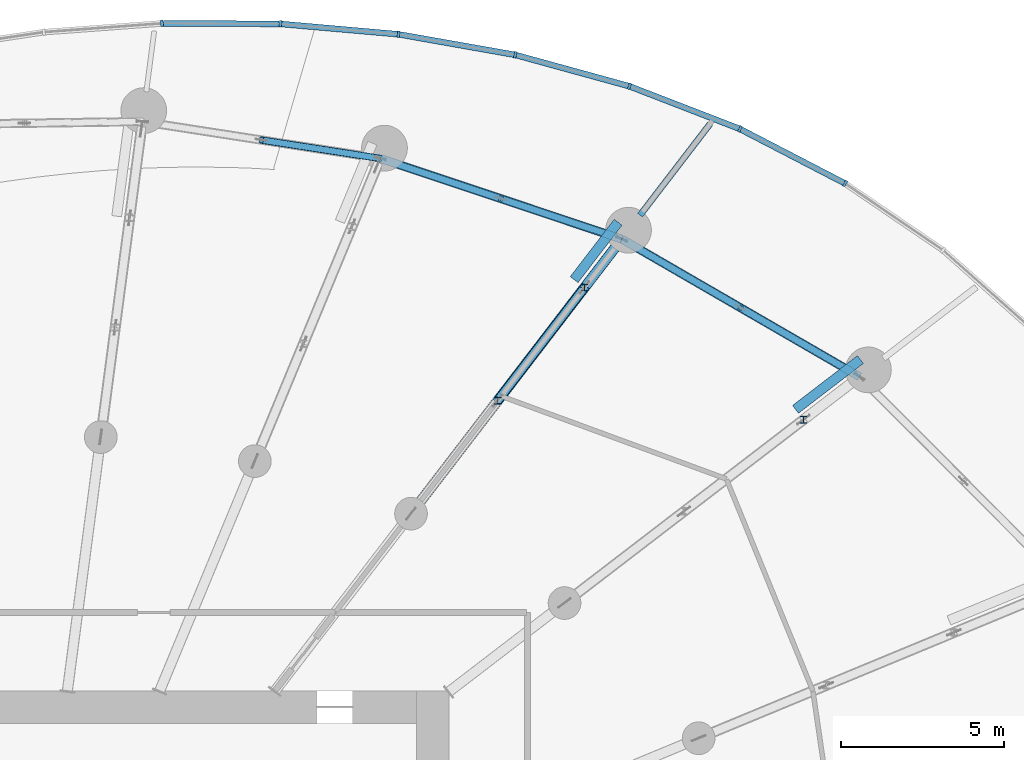
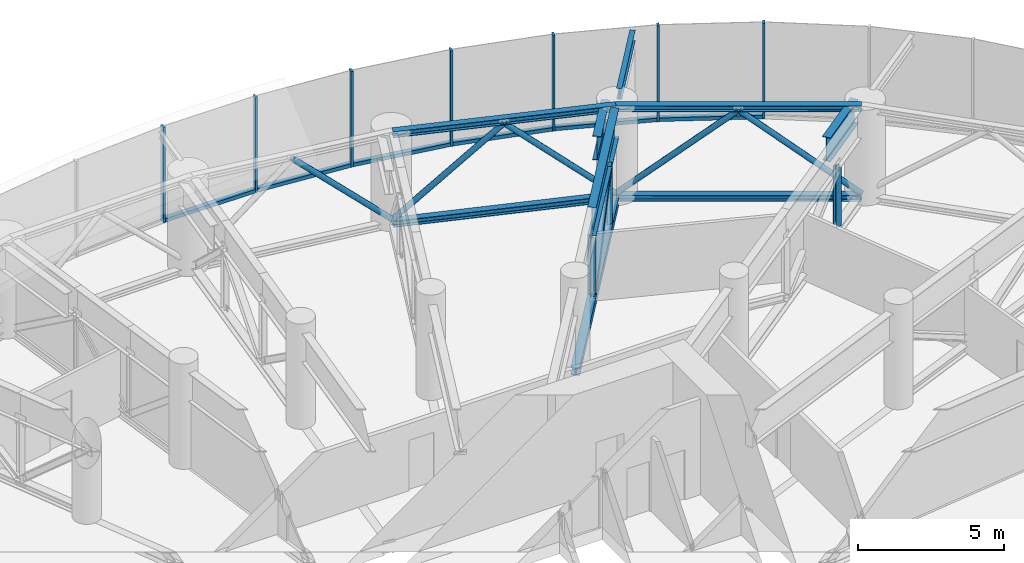
# One storey, part 15 of 42: 27 members, 4 beams, 2 elements without a shape of their own.
"""IFC4 building model written with IfcOpenShell, lengths in metres."""

import ifcopenshell
import ifcopenshell.guid

model = None  # the IFC model being written
_history = None  # IfcOwnerHistory: only IFC2X3 demands one
_inside = {}  # id of a spatial element -> (the spatial element, [elements in it])
_under = {}  # id of a project, library or spatial element -> (it, [spatial elements below it])
_declared = {}  # id of a project -> (the project, [libraries it declares])
_typed = {}  # id of a type object -> (the type object, [elements of that type])
_made_of = {}  # id of a material, layer set ... -> (it, [elements and type objects made of it])


def new_model(schema):
    """Start an empty IFC model of exactly this schema.

    Asked for "IFC4X3", IfcOpenShell would pick the latest addendum, in which some entities
    have other attributes; the version numbers below select the first issue.
    IFC2X3 requires an IfcOwnerHistory on every rooted entity: one is made here for all.
    """
    global model, _history
    if schema == "IFC4X3":
        model = ifcopenshell.file(schema_version=(4, 3, 0, 0))
    else:
        model = ifcopenshell.file(schema=schema)
    _inside.clear()
    _under.clear()
    _declared.clear()
    _typed.clear()
    _made_of.clear()
    _history = None
    if model.schema == "IFC2X3":
        org = make("IfcOrganization", Name="unknown")
        user = make(
            "IfcPersonAndOrganization",
            ThePerson=make("IfcPerson", FamilyName="unknown"),
            TheOrganization=org,
        )
        app = make(
            "IfcApplication",
            ApplicationDeveloper=org,
            Version="unknown",
            ApplicationFullName="unknown",
            ApplicationIdentifier="unknown",
        )
        _history = make(
            "IfcOwnerHistory",
            OwningUser=user,
            OwningApplication=app,
            ChangeAction="ADDED",
            CreationDate=0,
        )
    return model


def make(cls, **values):
    """One entity of the class cls with the attributes given. An attribute that is None is left unset."""
    return model.create_entity(
        cls, **{name: value for name, value in values.items() if value is not None}
    )


def rooted(cls, **values):
    """An entity with a GlobalId (a new one), such as an element, a storey or a relation."""
    return make(cls, GlobalId=ifcopenshell.guid.new(), OwnerHistory=_history, **values)


def si_unit(unit_type, name, prefix=None):
    """IfcSIUnit, for example si_unit("LENGTHUNIT", "METRE", prefix="MILLI")."""
    return make("IfcSIUnit", UnitType=unit_type, Prefix=prefix, Name=name)


def assignment(units):
    """IfcUnitAssignment: the units of a project."""
    return None if units is None else make("IfcUnitAssignment", Units=units)


def point(xyz):
    """IfcCartesianPoint."""
    return None if xyz is None else make("IfcCartesianPoint", Coordinates=xyz)


def direction(xyz):
    """IfcDirection."""
    return None if xyz is None else make("IfcDirection", DirectionRatios=xyz)


def frame(location, z_axis=None, x_axis=None):
    """IfcAxis2Placement3D, a coordinate frame: its origin and axes. An axis left out is left unset."""
    return make(
        "IfcAxis2Placement3D",
        Location=point(location),
        Axis=direction(z_axis),
        RefDirection=direction(x_axis),
    )


def frame_2d(location, x_axis=None):
    """IfcAxis2Placement2D, a coordinate frame in the plane: its origin and x axis."""
    return make(
        "IfcAxis2Placement2D", Location=point(location), RefDirection=direction(x_axis)
    )


def origin():
    """The frame at (0, 0, 0) with its axes left unset."""
    return frame((0.0, 0.0, 0.0))


def origin_2d():
    """The frame at (0, 0) in the plane with its x axis left unset."""
    return frame_2d((0.0, 0.0))


def place(relative_to, where):
    """IfcLocalPlacement: puts the frame where relative to a parent placement (None: the world)."""
    return make(
        "IfcLocalPlacement", PlacementRelTo=relative_to, RelativePlacement=where
    )


def context(
    kind, dimensions, precision=None, world=None, true_north=None, identifier=None
):
    """IfcGeometricRepresentationContext, for example the 3D "Model" context."""
    return make(
        "IfcGeometricRepresentationContext",
        ContextIdentifier=identifier,
        ContextType=kind,
        CoordinateSpaceDimension=dimensions,
        Precision=precision,
        WorldCoordinateSystem=world,
        TrueNorth=true_north,
    )


def subcontext(parent, identifier, kind, view, scale=None):
    """IfcGeometricRepresentationSubContext, for example "Body" below "Model"."""
    return make(
        "IfcGeometricRepresentationSubContext",
        ContextIdentifier=identifier,
        ContextType=kind,
        ParentContext=parent,
        TargetScale=scale,
        TargetView=view,
    )


def project(units=None, contexts=None):
    """IfcProject with its units and contexts."""
    return rooted(
        "IfcProject",
        Name="project",
        RepresentationContexts=contexts,
        UnitsInContext=assignment(units),
    )


def spatial(cls, under=None, at=None, **own):
    """A site, building, storey or space (cls), placed at a placement, below another one or the project."""
    s = rooted(cls, ObjectPlacement=at, **own)
    if under is not None:
        _under.setdefault(under.id(), (under, []))[1].append(s)
    return s


def profile(cls, at=None, kind="AREA", **sizes):
    """A parametric profile (cls). Its sizes go by their IFC names, for example OverallWidth=200.0."""
    return make(cls, ProfileType=kind, Position=at, **sizes)


def rectangle(**sizes):
    """IfcRectangleProfileDef."""
    return profile("IfcRectangleProfileDef", **sizes)


def hollow_circle(**sizes):
    """IfcCircleHollowProfileDef."""
    return profile("IfcCircleHollowProfileDef", **sizes)


def i_section(**sizes):
    """IfcIShapeProfileDef."""
    return profile("IfcIShapeProfileDef", **sizes)


def extrude(swept, where, along, depth):
    """IfcExtrudedAreaSolid: the profile swept, set in the frame where, extruded along a direction by depth."""
    return make(
        "IfcExtrudedAreaSolid",
        SweptArea=swept,
        Position=where,
        ExtrudedDirection=direction(along),
        Depth=depth,
    )


def shape(context_of_items, identifier, shape_type, items):
    """IfcShapeRepresentation: the items that make up one representation, for example the "Body"."""
    return make(
        "IfcShapeRepresentation",
        ContextOfItems=context_of_items,
        RepresentationIdentifier=identifier,
        RepresentationType=shape_type,
        Items=items,
    )


def source(mapping_origin, context_of_items, identifier, shape_type, items):
    """IfcRepresentationMap: a shape defined once, which mapped items show again and again."""
    return make(
        "IfcRepresentationMap",
        MappingOrigin=mapping_origin,
        MappedRepresentation=shape(context_of_items, identifier, shape_type, items),
    )


def transform(
    local_origin,
    x_axis=None,
    y_axis=None,
    z_axis=None,
    scale=None,
    scale2=None,
    scale3=None,
    uniform=True,
):
    """IfcCartesianTransformationOperator3D, or its non-uniform kind. x_axis, y_axis, z_axis: its Axis1, 2, 3."""
    if uniform:
        return make(
            "IfcCartesianTransformationOperator3D",
            Axis1=direction(x_axis),
            Axis2=direction(y_axis),
            LocalOrigin=point(local_origin),
            Scale=scale,
            Axis3=direction(z_axis),
        )
    return make(
        "IfcCartesianTransformationOperator3DnonUniform",
        Axis1=direction(x_axis),
        Axis2=direction(y_axis),
        LocalOrigin=point(local_origin),
        Scale=scale,
        Axis3=direction(z_axis),
        Scale2=scale2,
        Scale3=scale3,
    )


def mapped(mapping_source, mapping_target):
    """IfcMappedItem: shows the shape of a source again, moved by a transform."""
    return make(
        "IfcMappedItem", MappingSource=mapping_source, MappingTarget=mapping_target
    )


def material(Name=None, Category=None):
    """IfcMaterial."""
    return make("IfcMaterial", Name=Name, Category=Category)


def layer(
    of_material, thickness, ventilated=None, Name=None, Category=None, Priority=None
):
    """IfcMaterialLayer: one layer of a wall or slab, of a material (None: an air gap)."""
    return make(
        "IfcMaterialLayer",
        Material=of_material,
        LayerThickness=thickness,
        IsVentilated=ventilated,
        Name=Name,
        Category=Category,
        Priority=Priority,
    )


def layer_set(layers, Name=None):
    """IfcMaterialLayerSet."""
    return make("IfcMaterialLayerSet", MaterialLayers=layers, LayerSetName=Name)


def material_profile(
    of_material, cross_section, Name=None, Category=None, Priority=None
):
    """IfcMaterialProfile: a cross section and its material."""
    return make(
        "IfcMaterialProfile",
        Name=Name,
        Material=of_material,
        Profile=cross_section,
        Priority=Priority,
        Category=Category,
    )


def profile_set(profiles, Name=None, composite=None):
    """IfcMaterialProfileSet."""
    return make(
        "IfcMaterialProfileSet",
        Name=Name,
        MaterialProfiles=profiles,
        CompositeProfile=composite,
    )


def made_of(thing, what):
    """Note that an element or type object is made of a material, layer set ...; save() writes the relation."""
    if what is not None:
        _made_of.setdefault(what.id(), (what, []))[1].append(thing)
    return thing


def type_object(cls, material=None, **own):
    """A type object (cls), such as IfcWallType, which elements share."""
    return made_of(rooted(cls, **own), material)


def element(
    cls,
    number,
    at=None,
    inside=None,
    cuts=None,
    type_object=None,
    material=None,
    context=None,
    identifier="Body",
    shape_type=None,
    held_by="IfcProductDefinitionShape",
    body=None,
    shapes=None,
    **own,
):
    """One element of the class cls, such as IfcWall. Its Tag is "e" and its number.

    at: its placement. inside: the storey or other place that contains it. cuts: it is an
    opening in that element (IfcRelVoidsElement). A single representation is given by context,
    identifier, shape_type and body (its items); several are given by shapes. held_by: the class
    of the entity that holds the representations. save() writes the other relations.
    """
    e = rooted(cls, Tag="e%d" % number, ObjectPlacement=at, **own)
    if body is not None:
        shapes = [shape(context, identifier, shape_type, body)]
    if shapes is not None:
        e.Representation = make(held_by, Representations=shapes)
    if inside is not None:
        _inside.setdefault(inside.id(), (inside, []))[1].append(e)
    if cuts is not None:
        rooted(
            "IfcRelVoidsElement", RelatingBuildingElement=cuts, RelatedOpeningElement=e
        )
    if type_object is not None:
        _typed.setdefault(type_object.id(), (type_object, []))[1].append(e)
    return made_of(e, material)


def aggregate(whole, parts):
    """IfcRelAggregates: a whole, such as a stair, and the parts it consists of."""
    return rooted("IfcRelAggregates", RelatingObject=whole, RelatedObjects=parts)


def save(model, path):
    """Write the relations noted so far, then the file.

    IfcRelAggregates (storeys below a building ...), IfcRelContainedInSpatialStructure (elements
    in a storey), IfcRelDefinesByType, IfcRelAssociatesMaterial and IfcRelDeclares: one each for
    every whole, place, type object, material and project.
    """
    for whole, parts in _under.values():
        aggregate(whole, parts)
    for where, things in _inside.values():
        rooted(
            "IfcRelContainedInSpatialStructure",
            RelatedElements=things,
            RelatingStructure=where,
        )
    for kind, things in _typed.values():
        rooted("IfcRelDefinesByType", RelatedObjects=things, RelatingType=kind)
    for what, things in _made_of.values():
        rooted("IfcRelAssociatesMaterial", RelatedObjects=things, RelatingMaterial=what)
    for by, libraries in _declared.values():
        rooted("IfcRelDeclares", RelatingContext=by, RelatedDefinitions=libraries)
    model.write(path)


model = new_model("IFC4")

# Units and contexts
model_context = context("Model", 3, precision=1e-05, world=origin(), true_north=direction((0.0, 1.0)))
body_context = subcontext(model_context, "Body", "Model", "MODEL_VIEW")
ifc_project = project(units=[si_unit("LENGTHUNIT", "METRE"), si_unit("AREAUNIT", "SQUARE_METRE"), si_unit("VOLUMEUNIT", "CUBIC_METRE"), si_unit("PLANEANGLEUNIT", "RADIAN"), si_unit("MASSUNIT", "GRAM", prefix="KILO")], contexts=[model_context])

# Site, building, storey
site_placement = place(None, origin())
site = spatial("IfcSite", under=ifc_project, at=site_placement, CompositionType="ELEMENT")
building_placement = place(site_placement, origin())
building = spatial("IfcBuilding", under=site, at=building_placement, Name="Spindrift Exchange Tower", CompositionType="ELEMENT")
storey_placement = place(building_placement, frame((0.0, 0.0, 75.39990234375)))
storey = spatial("IfcBuildingStorey", under=building, at=storey_placement, Name="L17", CompositionType="ELEMENT", Elevation=75.39990234375)

# Beam
ifc_material_1 = material(Name="Steel Grade 300", Category="steel")
ifc_material_profile_1 = material_profile(ifc_material_1, i_section(OverallWidth=0.18994140625, OverallDepth=0.45703125, WebThickness=0.009033203125, FlangeThickness=0.014404296875, FilletRadius=0.013916015625, at=origin_2d()), Name="460UB74.6")
ifc_profile_set_1 = profile_set([ifc_material_profile_1], Name="Steel Grade 300")
beam_type_1 = type_object("IfcBeamType", Name="Cantilever Beam 460UB74.6 Steel Grade 300", PredefinedType="BEAM", material=ifc_profile_set_1)
shared_shape_1 = source(origin(), body_context, "Body", "SweptSolid", [
    extrude(i_section(OverallWidth=0.18994140625, OverallDepth=0.45703125, WebThickness=0.009033203125, FlangeThickness=0.014404296875, FilletRadius=0.013916015625, at=origin_2d()), origin(), (0.0, 0.0, 1.0), 3.521728515625),
])
beam_1_placement = place(storey_placement, frame((70.845458984375, 72.559814453125, 3.771484375), z_axis=(0.608748772801, 0.793363051581, 0.0), x_axis=(-0.793363051581, 0.608748772801, 0.0)))
element("IfcBeam", 1, at=beam_1_placement, inside=storey, type_object=beam_type_1, Name="L17 cantilever beam R04T", PredefinedType="BEAM", context=body_context, shape_type="MappedRepresentation", body=[
    mapped(shared_shape_1, transform((0.0, 0.0, 0.0), scale=1.0)),
])

# Members
ifc_material_profile_2 = material_profile(ifc_material_1, i_section(OverallWidth=0.205078125, OverallDepth=0.2099609375, WebThickness=0.00927734375, FlangeThickness=0.01416015625, FilletRadius=0.012939453125, at=origin_2d()), Name="200UC59.5")
ifc_profile_set_2 = profile_set([ifc_material_profile_2], Name="Steel Grade 300")
member_type_1 = type_object("IfcMemberType", Name="Outrigger Truss Post 200UC59.5 Steel Grade 300", PredefinedType="POST", material=ifc_profile_set_2)
shared_shape_2 = source(origin(), body_context, "Body", "SweptSolid", [
    extrude(i_section(OverallWidth=0.205078125, OverallDepth=0.2099609375, WebThickness=0.00927734375, FlangeThickness=0.01416015625, FilletRadius=0.012939453125, at=origin_2d()), origin(), (0.0, 0.0, 1.0), 2.472900390625),
])
for number, where, z_axis, x_axis, name in (
    (2, (75.84814453125, 66.29931640625, 0.3271484375), (0.0, 0.0, 1.0), (1.0, 0.0, 0.0), "L17 outrigger truss 03 post 3"),
    (3, (66.490478515625, 66.88427734375, 0.3271484375), (0.0, 0.0, 1.0), (1.0, 0.0, 0.0), "L17 outrigger truss 04 post 2"),
    (4, (69.145751953125, 70.3447265625, 0.3271484375), (0.0, 0.0, 1.0), (1.0, 0.0, 0.0), "L17 outrigger truss 04 post 3"),
):
    element("IfcMember", number, at=place(storey_placement, frame(where, z_axis=z_axis, x_axis=x_axis)), inside=storey, type_object=member_type_1, Name=name, PredefinedType="POST", context=body_context, shape_type="MappedRepresentation", body=[
        mapped(shared_shape_2, transform((0.0, 0.0, 0.0), scale=1.0)),
    ])
ifc_material_profile_3 = material_profile(ifc_material_1, i_section(OverallWidth=0.31103515625, OverallDepth=0.326904296875, WebThickness=0.015625, FlangeThickness=0.02490234375, FilletRadius=0.0166015625, at=origin_2d()), Name="310UC158")
ifc_profile_set_3 = profile_set([ifc_material_profile_3], Name="Steel Grade 300")
member_type_2 = type_object("IfcMemberType", Name="Outrigger Truss Chord 310UC158 Steel Grade 300", PredefinedType="CHORD", material=ifc_profile_set_3)
shared_shape_3 = source(origin(), body_context, "Body", "SweptSolid", [
    extrude(i_section(OverallWidth=0.31103515625, OverallDepth=0.326904296875, WebThickness=0.015625, FlangeThickness=0.02490234375, FilletRadius=0.0166015625, at=origin_2d()), origin(), (0.0, 0.0, 1.0), 10.35546875),
])
member_1_placement = place(storey_placement, frame((63.835205078125, 63.423828125, 0.16357421875), z_axis=(0.608756673514, 0.793356989288, 0.0), x_axis=(-0.793356989288, 0.608756673514, 0.0)))
element("IfcMember", 5, at=member_1_placement, inside=storey, type_object=member_type_2, Name="L17 outrigger truss 04 bottom chord 2", PredefinedType="CHORD", context=body_context, shape_type="MappedRepresentation", body=[
    mapped(shared_shape_3, transform((0.0, 0.0, 0.0), scale=1.0)),
])
ifc_material_profile_4 = material_profile(ifc_material_1, i_section(OverallWidth=0.256103515625, OverallDepth=0.260009765625, WebThickness=0.010498046875, FlangeThickness=0.017333984375, FilletRadius=0.011962890625, at=origin_2d()), Name="250UC89.5")
ifc_profile_set_4 = profile_set([ifc_material_profile_4], Name="Steel Grade 300")
member_type_3 = type_object("IfcMemberType", Name="Outrigger Truss Diagonal 250UC89.5 Steel Grade 300", PredefinedType="BRACE", material=ifc_profile_set_4)
shared_shape_4 = source(origin(), body_context, "Body", "SweptSolid", [
    extrude(i_section(OverallWidth=0.256103515625, OverallDepth=0.260009765625, WebThickness=0.010498046875, FlangeThickness=0.017333984375, FilletRadius=0.011962890625, at=origin_2d()), origin(), (0.0, 0.0, 1.0), 5.013916015625),
])
member_2_placement = place(storey_placement, frame((66.490478515625, 66.88427734375, 0.3271484375), z_axis=(0.529569504176, 0.690154298657, 0.493196902152), x_axis=(-0.793355846962, 0.608758162238, 0.0)))
element("IfcMember", 6, at=member_2_placement, inside=storey, type_object=member_type_3, Name="L17 outrigger truss 04 diagonal 3", PredefinedType="BRACE", context=body_context, shape_type="MappedRepresentation", body=[
    mapped(shared_shape_4, transform((0.0, 0.0, 0.0), scale=1.0)),
])

# Beam
ifc_material_profile_5 = material_profile(ifc_material_1, i_section(OverallWidth=0.300048828125, OverallDepth=1.199951171875, WebThickness=0.011962890625, FlangeThickness=0.028076171875, at=origin_2d()), Name="1200WB249")
ifc_profile_set_5 = profile_set([ifc_material_profile_5], Name="Steel Grade 300")
beam_type_2 = type_object("IfcBeamType", Name="Outrigger Truss Transfer Girder 1200WB249 Steel Grade 300", PredefinedType="BEAM", material=ifc_profile_set_5)
shared_shape_5 = source(origin(), body_context, "Body", "SweptSolid", [
    extrude(i_section(OverallWidth=0.300048828125, OverallDepth=1.199951171875, WebThickness=0.011962890625, FlangeThickness=0.028076171875, at=origin_2d()), origin(), (0.0, 0.0, 1.0), 5.99365234375),
])
beam_2_placement = place(storey_placement, frame((66.490478515625, 66.88427734375, 3.400146484375), z_axis=(0.60875559012, 0.793357820594, 0.0), x_axis=(-0.793357820594, 0.60875559012, 0.0)))
element("IfcBeam", 7, at=beam_2_placement, inside=storey, type_object=beam_type_2, Name="L17 outrigger truss 04 top chord 3", PredefinedType="BEAM", context=body_context, shape_type="MappedRepresentation", body=[
    mapped(shared_shape_5, transform((0.0, 0.0, 0.0), scale=1.0)),
])

# Members
ifc_material_profile_6 = material_profile(ifc_material_1, i_section(OverallWidth=0.256103515625, OverallDepth=0.260009765625, WebThickness=0.010498046875, FlangeThickness=0.017333984375, FilletRadius=0.011962890625, at=origin_2d()), Name="250UC89.5")
ifc_profile_set_6 = profile_set([ifc_material_profile_6], Name="Steel Grade 300")
member_type_4 = type_object("IfcMemberType", Name="Belt Truss Chord 250UC89.5 Steel Grade 300", PredefinedType="CHORD", material=ifc_profile_set_6)
shared_shape_6 = source(origin(), body_context, "Body", "SweptSolid", [
    extrude(i_section(OverallWidth=0.256103515625, OverallDepth=0.260009765625, WebThickness=0.010498046875, FlangeThickness=0.017333984375, FilletRadius=0.011962890625, at=origin_2d()), origin(), (0.0, 0.0, 1.0), 8.41162109375),
])
for number, where, z_axis, x_axis, name in (
    (8, (77.56591796875, 67.6171875, 3.8701171875), (-0.865536882311, 0.500845191012, 0.0), (-0.500845191012, -0.865536882311, 0.0), "L17 belt truss 03 top chord"),
    (9, (77.56591796875, 67.6171875, 0.130126953125), (-0.865536882311, 0.500845191012, 0.0), (-0.500845191012, -0.865536882311, 0.0), "L17 belt truss 03 bottom chord"),
):
    element("IfcMember", number, at=place(storey_placement, frame(where, z_axis=z_axis, x_axis=x_axis)), inside=storey, type_object=member_type_4, Name=name, PredefinedType="CHORD", context=body_context, shape_type="MappedRepresentation", body=[
        mapped(shared_shape_6, transform((0.0, 0.0, 0.0), scale=1.0)),
    ])
ifc_material_2 = material(Name="Steel Grade 350", Category="steel")
ifc_material_profile_7 = material_profile(ifc_material_2, hollow_circle(Radius=0.109619140625, WallThickness=0.00830078125, at=origin_2d()), Name="219.1x8.2CHS")
ifc_profile_set_7 = profile_set([ifc_material_profile_7], Name="Steel Grade 350")
member_type_5 = type_object("IfcMemberType", Name="Belt Truss Diagonal 219.1x8.2CHS Steel Grade 350", PredefinedType="BRACE", material=ifc_profile_set_7)
shared_shape_7 = source(origin(), body_context, "Body", "SweptSolid", [
    extrude(hollow_circle(Radius=0.109619140625, WallThickness=0.00830078125, at=origin_2d()), origin(), (0.0, 0.0, 1.0), 5.458984375),
])
member_3_placement = place(storey_placement, frame((77.56591796875, 67.6171875, 0.260009765625), z_axis=(-0.666868987608, 0.385872552148, 0.637485785619), x_axis=(-0.500832609194, -0.865544162691, 0.0)))
element("IfcMember", 10, at=member_3_placement, inside=storey, type_object=member_type_5, Name="L17 belt truss 03 diagonal 1", PredefinedType="BRACE", context=body_context, shape_type="MappedRepresentation", body=[
    mapped(shared_shape_7, transform((0.0, 0.0, 0.0), scale=1.0)),
])
shared_shape_8 = source(origin(), body_context, "Body", "SweptSolid", [
    extrude(hollow_circle(Radius=0.109619140625, WallThickness=0.00830078125, at=origin_2d()), origin(), (0.0, 0.0, 1.0), 5.458740234375),
])
member_4_placement = place(storey_placement, frame((73.925537109375, 69.7236328125, 3.739990234375), z_axis=(-0.66684415229, 0.385884060762, -0.637504798575), x_axis=(-0.500857773355, -0.865529601383, 0.0)))
element("IfcMember", 11, at=member_4_placement, inside=storey, type_object=member_type_5, Name="L17 belt truss 03 diagonal 2", PredefinedType="BRACE", context=body_context, shape_type="MappedRepresentation", body=[
    mapped(shared_shape_8, transform((0.0, 0.0, 0.0), scale=1.0)),
])
shared_shape_9 = source(origin(), body_context, "Body", "SweptSolid", [
    extrude(i_section(OverallWidth=0.256103515625, OverallDepth=0.260009765625, WebThickness=0.010498046875, FlangeThickness=0.017333984375, FilletRadius=0.011962890625, at=origin_2d()), origin(), (0.0, 0.0, 1.0), 7.793701171875),
])
for number, where, z_axis, x_axis, name in (
    (12, (70.285400390625, 71.830078125, 3.8701171875), (-0.948567329995, 0.316575457776, 0.0), (-0.316575457776, -0.948567329995, 0.0), "L17 belt truss 04 top chord"),
    (13, (70.285400390625, 71.830078125, 0.130126953125), (-0.948567329995, 0.316575457776, 0.0), (-0.316575457776, -0.948567329995, 0.0), "L17 belt truss 04 bottom chord"),
):
    element("IfcMember", number, at=place(storey_placement, frame(where, z_axis=z_axis, x_axis=x_axis)), inside=storey, type_object=member_type_4, Name=name, PredefinedType="CHORD", context=body_context, shape_type="MappedRepresentation", body=[
        mapped(shared_shape_9, transform((0.0, 0.0, 0.0), scale=1.0)),
    ])
shared_shape_10 = source(origin(), body_context, "Body", "SweptSolid", [
    extrude(hollow_circle(Radius=0.109619140625, WallThickness=0.00830078125, at=origin_2d()), origin(), (0.0, 0.0, 1.0), 5.224365234375),
])
member_5_placement = place(storey_placement, frame((70.285400390625, 71.830078125, 0.260009765625), z_axis=(-0.707500639745, 0.236129506779, 0.666097365847), x_axis=(-0.316584864872, -0.948564190413, 0.0)))
element("IfcMember", 14, at=member_5_placement, inside=storey, type_object=member_type_5, Name="L17 belt truss 04 diagonal 1", PredefinedType="BRACE", context=body_context, shape_type="MappedRepresentation", body=[
    mapped(shared_shape_10, transform((0.0, 0.0, 0.0), scale=1.0)),
])
shared_shape_11 = source(origin(), body_context, "Body", "SweptSolid", [
    extrude(hollow_circle(Radius=0.109619140625, WallThickness=0.00830078125, at=origin_2d()), origin(), (0.0, 0.0, 1.0), 5.224609375),
])
member_6_placement = place(storey_placement, frame((66.589111328125, 73.063720703125, 3.739990234375), z_axis=(-0.70752397783, 0.236121700018, -0.666075343768), x_axis=(-0.316566051209, -0.948570469297, 0.0)))
element("IfcMember", 15, at=member_6_placement, inside=storey, type_object=member_type_5, Name="L17 belt truss 04 diagonal 2", PredefinedType="BRACE", context=body_context, shape_type="MappedRepresentation", body=[
    mapped(shared_shape_11, transform((0.0, 0.0, 0.0), scale=1.0)),
])
shared_shape_12 = source(origin(), body_context, "Body", "SweptSolid", [
    extrude(hollow_circle(Radius=0.109619140625, WallThickness=0.00830078125, at=origin_2d()), origin(), (0.0, 0.0, 1.0), 5.06787109375),
])
member_7_placement = place(storey_placement, frame((62.892578125, 74.29736328125, 0.260009765625), z_axis=(-0.718416490545, 0.111185224983, 0.686669929339), x_axis=(-0.152943487778, -0.988234936412, 0.0)))
element("IfcMember", 16, at=member_7_placement, inside=storey, type_object=member_type_5, Name="L17 belt truss 05 diagonal 1", PredefinedType="BRACE", context=body_context, shape_type="MappedRepresentation", body=[
    mapped(shared_shape_12, transform((0.0, 0.0, 0.0), scale=1.0)),
])

# Beams
ifc_material_profile_8 = material_profile(ifc_material_1, i_section(OverallWidth=0.300048828125, OverallDepth=1.0, WebThickness=0.010009765625, FlangeThickness=0.02001953125, at=origin_2d()), Name="1000WB215")
ifc_profile_set_8 = profile_set([ifc_material_profile_8], Name="Steel Grade 300")
beam_type_3 = type_object("IfcBeamType", Name="Transfer Tie Beam 1000WB215 Steel Grade 300", PredefinedType="BEAM", material=ifc_profile_set_8)
shared_shape_13 = source(origin(), body_context, "Body", "SweptSolid", [
    extrude(i_section(OverallWidth=0.300048828125, OverallDepth=1.0, WebThickness=0.010009765625, FlangeThickness=0.02001953125, at=origin_2d()), origin(), (0.0, 0.0, 1.0), 2.5048828125),
])
beam_3_placement = place(storey_placement, frame((77.592041015625, 68.1416015625, 3.400146484375), z_axis=(-0.793355302324, -0.608758872029, 0.0), x_axis=(0.608758872029, -0.793355302324, 0.0)))
element("IfcBeam", 17, at=beam_3_placement, inside=storey, type_object=beam_type_3, Name="L17 transfer tie beam K03", PredefinedType="BEAM", context=body_context, shape_type="MappedRepresentation", body=[
    mapped(shared_shape_13, transform((0.0, 0.0, 0.0), scale=1.0)),
])
shared_shape_14 = source(origin(), body_context, "Body", "SweptSolid", [
    extrude(i_section(OverallWidth=0.300048828125, OverallDepth=1.0, WebThickness=0.010009765625, FlangeThickness=0.02001953125, at=origin_2d()), origin(), (0.0, 0.0, 1.0), 2.2119140625),
])
beam_4_placement = place(storey_placement, frame((70.175048828125, 72.34326171875, 3.400146484375), z_axis=(-0.608723469706, -0.793382466046, 0.0), x_axis=(0.793382466046, -0.608723469706, 0.0)))
element("IfcBeam", 18, at=beam_4_placement, inside=storey, type_object=beam_type_3, Name="L17 transfer tie beam K04", PredefinedType="BEAM", context=body_context, shape_type="MappedRepresentation", body=[
    mapped(shared_shape_14, transform((0.0, 0.0, 0.0), scale=1.0)),
])

# Curtain wall, members
ifc_material_3 = material(Name="Fritted laminated glass with bronze frame", Category="glass")
ifc_layer = layer(ifc_material_3, 0.199951171875)
ifc_layer_set = layer_set([ifc_layer], Name="ZONE 1 BRONZE FRITTED WALL")
curtain_wall_type = type_object("IfcCurtainWallType", Name="ZONE 1 BRONZE FRITTED WALL", PredefinedType="NOTDEFINED", material=ifc_layer_set)
curtain_wall_1_placement = place(storey_placement, origin())
curtain_wall_1 = element("IfcCurtainWall", 19, at=curtain_wall_1_placement, inside=storey, type_object=curtain_wall_type, Name="L17 Zone 1 Bronze Fritted Wall run 2", PredefinedType="NOTDEFINED")
ifc_material_4 = material(Name="Bronze anodised aluminium", Category="aluminium")
ifc_material_profile_9 = material_profile(ifc_material_4, rectangle(XDim=0.179931640625, YDim=0.14990234375, at=origin_2d()), Name="ZONE 1 BRONZE FRITTED WALL TRANSOM 180X150")
ifc_profile_set_9 = profile_set([ifc_material_profile_9], Name="Bronze anodised aluminium")
member_type_6 = type_object("IfcMemberType", Name="ZONE 1 BRONZE FRITTED WALL TRANSOM 180X150", PredefinedType="USERDEFINED", material=ifc_profile_set_9)
shared_shape_15 = source(origin(), body_context, "Body", "SweptSolid", [
    extrude(rectangle(XDim=0.179931640625, YDim=0.14990234375, at=origin_2d()), origin(), (0.0, 0.0, 1.0), 3.546875),
])
member_8_placement = place(storey_placement, frame((70.483642578125, 76.51708984375, 0.0751953125), z_axis=(-0.964266519992, 0.264934102038, 0.0), x_axis=(-0.264934102038, -0.964266519992, 0.0)))
member_8 = element("IfcMember", 20, at=member_8_placement, type_object=member_type_6, Name="L17 transom CW-1.8", ObjectType="TRANSOM", PredefinedType="USERDEFINED", context=body_context, shape_type="MappedRepresentation", body=[
    mapped(shared_shape_15, transform((0.0, 0.0, 0.0), scale=1.0)),
])
member_9_placement = place(storey_placement, frame((66.985595703125, 77.474365234375, 0.0751953125), z_axis=(-0.984769003788, 0.173867792239, 0.0), x_axis=(-0.173867792239, -0.984769003788, 0.0)))
member_9 = element("IfcMember", 21, at=member_9_placement, type_object=member_type_6, Name="L17 transom CW-1.9", ObjectType="TRANSOM", PredefinedType="USERDEFINED", context=body_context, shape_type="MappedRepresentation", body=[
    mapped(shared_shape_15, transform((0.0, 0.0, 0.0), scale=1.0)),
])
shared_shape_16 = source(origin(), body_context, "Body", "SweptSolid", [
    extrude(rectangle(XDim=0.179931640625, YDim=0.14990234375, at=origin_2d()), origin(), (0.0, 0.0, 1.0), 3.54736328125),
])
member_10_placement = place(storey_placement, frame((63.413330078125, 78.101318359375, 0.0751953125), z_axis=(-0.996178611996, 0.087339412645, 0.0), x_axis=(-0.087339412645, -0.996178611996, 0.0)))
member_10 = element("IfcMember", 22, at=member_10_placement, type_object=member_type_6, Name="L17 transom CW-1.10", ObjectType="TRANSOM", PredefinedType="USERDEFINED", context=body_context, shape_type="MappedRepresentation", body=[
    mapped(shared_shape_16, transform((0.0, 0.0, 0.0), scale=1.0)),
])
shared_shape_17 = source(origin(), body_context, "Body", "SweptSolid", [
    extrude(rectangle(XDim=0.179931640625, YDim=0.14990234375, at=origin_2d()), origin(), (0.0, 0.0, 1.0), 3.547119140625),
])
member_11_placement = place(storey_placement, frame((59.7998046875, 78.414794921875, 0.0751953125), z_axis=(-0.999987029595, 0.005093195691, 0.0), x_axis=(-0.005093195691, -0.999987029595, 0.0)))
member_11 = element("IfcMember", 23, at=member_11_placement, type_object=member_type_6, Name="L17 transom CW-1.11", ObjectType="TRANSOM", PredefinedType="USERDEFINED", context=body_context, shape_type="MappedRepresentation", body=[
    mapped(shared_shape_17, transform((0.0, 0.0, 0.0), scale=1.0)),
])

# Curtain wall, member
curtain_wall_2_placement = place(storey_placement, origin())
curtain_wall_2 = element("IfcCurtainWall", 24, at=curtain_wall_2_placement, inside=storey, type_object=curtain_wall_type, Name="L17 Zone 1 Bronze Fritted Wall run 1", PredefinedType="NOTDEFINED")
shared_shape_18 = source(origin(), body_context, "Body", "SweptSolid", [
    extrude(rectangle(XDim=0.179931640625, YDim=0.14990234375, at=origin_2d()), origin(), (0.0, 0.0, 1.0), 3.54638671875),
])
member_12_placement = place(storey_placement, frame((77.0888671875, 73.548828125, 0.0751953125), z_axis=(-0.887805581805, 0.460218696834, 0.0), x_axis=(-0.460218696834, -0.887805581805, 0.0)))
member_12 = element("IfcMember", 25, at=member_12_placement, type_object=member_type_6, Name="L17 transom CW-1.6", ObjectType="TRANSOM", PredefinedType="USERDEFINED", context=body_context, shape_type="MappedRepresentation", body=[
    mapped(shared_shape_18, transform((0.0, 0.0, 0.0), scale=1.0)),
])

# Member
shared_shape_19 = source(origin(), body_context, "Body", "SweptSolid", [
    extrude(rectangle(XDim=0.179931640625, YDim=0.14990234375, at=origin_2d()), origin(), (0.0, 0.0, 1.0), 3.546630859375),
])
member_13_placement = place(storey_placement, frame((73.86767578125, 75.213623046875, 0.0751953125), z_axis=(-0.932757103911, 0.360505457799, 0.0), x_axis=(-0.360505457799, -0.932757103911, 0.0)))
member_13 = element("IfcMember", 26, at=member_13_placement, type_object=member_type_6, Name="L17 transom CW-1.7", ObjectType="TRANSOM", PredefinedType="USERDEFINED", context=body_context, shape_type="MappedRepresentation", body=[
    mapped(shared_shape_19, transform((0.0, 0.0, 0.0), scale=1.0)),
])

ifc_material_profile_10 = material_profile(ifc_material_4, rectangle(XDim=0.080078125, YDim=0.199951171875, at=origin_2d()), Name="ZONE 1 BRONZE FRITTED WALL MULLION 80X200")
ifc_profile_set_10 = profile_set([ifc_material_profile_10], Name="Bronze anodised aluminium")
member_type_7 = type_object("IfcMemberType", Name="ZONE 1 BRONZE FRITTED WALL MULLION 80X200", PredefinedType="MULLION", material=ifc_profile_set_10)
shared_shape_20 = source(origin(), body_context, "Body", "SweptSolid", [
    extrude(rectangle(XDim=0.080078125, YDim=0.199951171875, at=origin_2d()), origin(), (0.0, 0.0, 1.0), 4.0),
])
member_14_placement = place(storey_placement, frame((77.124267578125, 73.530517578125, 0.0), z_axis=(0.0, 0.0, 1.0), x_axis=(-0.858793047363, 0.512322654, 0.0)))
member_14 = element("IfcMember", 27, at=member_14_placement, type_object=member_type_7, Name="L17 mullion CW-1.6", PredefinedType="MULLION", context=body_context, shape_type="MappedRepresentation", body=[
    mapped(shared_shape_20, transform((0.0, 0.0, 0.0), scale=1.0)),
])

aggregate(curtain_wall_2, [member_14, member_12])

member_15_placement = place(storey_placement, frame((73.90478515625, 75.19921875, 0.0), z_axis=(0.0, 0.0, 1.0), x_axis=(-0.91165396297, 0.410958698413, 0.0)))
member_15 = element("IfcMember", 28, at=member_15_placement, type_object=member_type_7, Name="L17 mullion CW-1.7", PredefinedType="MULLION", context=body_context, shape_type="MappedRepresentation", body=[
    mapped(shared_shape_20, transform((0.0, 0.0, 0.0), scale=1.0)),
])

member_16_placement = place(storey_placement, frame((70.522216796875, 76.506591796875, 0.0), z_axis=(0.0, 0.0, 1.0), x_axis=(-0.949726486992, 0.313080820085, 0.0)))
member_16 = element("IfcMember", 29, at=member_16_placement, type_object=member_type_7, Name="L17 mullion CW-1.8", PredefinedType="MULLION", context=body_context, shape_type="MappedRepresentation", body=[
    mapped(shared_shape_20, transform((0.0, 0.0, 0.0), scale=1.0)),
])

member_17_placement = place(storey_placement, frame((67.02490234375, 77.46728515625, 0.0), z_axis=(0.0, 0.0, 1.0), x_axis=(-0.975586719228, 0.219614556132, 0.0)))
member_17 = element("IfcMember", 30, at=member_17_placement, type_object=member_type_7, Name="L17 mullion CW-1.9", PredefinedType="MULLION", context=body_context, shape_type="MappedRepresentation", body=[
    mapped(shared_shape_20, transform((0.0, 0.0, 0.0), scale=1.0)),
])

member_18_placement = place(storey_placement, frame((63.453125, 78.097900390625, 0.0), z_axis=(0.0, 0.0, 1.0), x_axis=(-0.991418296749, 0.130727812157, 0.0)))
member_18 = element("IfcMember", 31, at=member_18_placement, type_object=member_type_7, Name="L17 mullion CW-1.10", PredefinedType="MULLION", context=body_context, shape_type="MappedRepresentation", body=[
    mapped(shared_shape_20, transform((0.0, 0.0, 0.0), scale=1.0)),
])

member_19_placement = place(storey_placement, frame((59.83984375, 78.414794921875, 0.0), z_axis=(0.0, 0.0, 1.0), x_axis=(-0.998930714194, 0.046232328953, 0.0)))
member_19 = element("IfcMember", 32, at=member_19_placement, type_object=member_type_7, Name="L17 mullion CW-1.11", PredefinedType="MULLION", context=body_context, shape_type="MappedRepresentation", body=[
    mapped(shared_shape_20, transform((0.0, 0.0, 0.0), scale=1.0)),
])

member_20_placement = place(storey_placement, frame((56.212646484375, 78.43310546875, 0.0), z_axis=(0.0, 0.0, 1.0), x_axis=(-0.999411784813, -0.034294086605, 0.0)))
member_20 = element("IfcMember", 33, at=member_20_placement, type_object=member_type_7, Name="L17 mullion CW-1.12", PredefinedType="MULLION", context=body_context, shape_type="MappedRepresentation", body=[
    mapped(shared_shape_20, transform((0.0, 0.0, 0.0), scale=1.0)),
])

aggregate(curtain_wall_1, [member_15, member_13, member_16, member_8, member_17, member_9, member_18, member_10, member_19, member_11, member_20])

save(model, "model.ifc")
